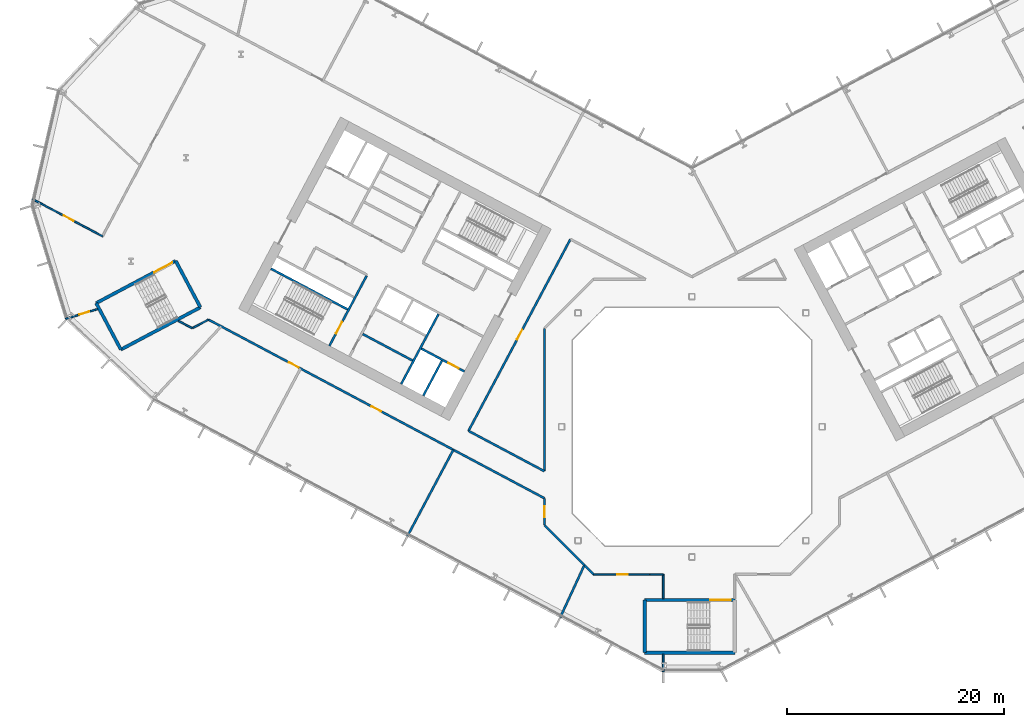
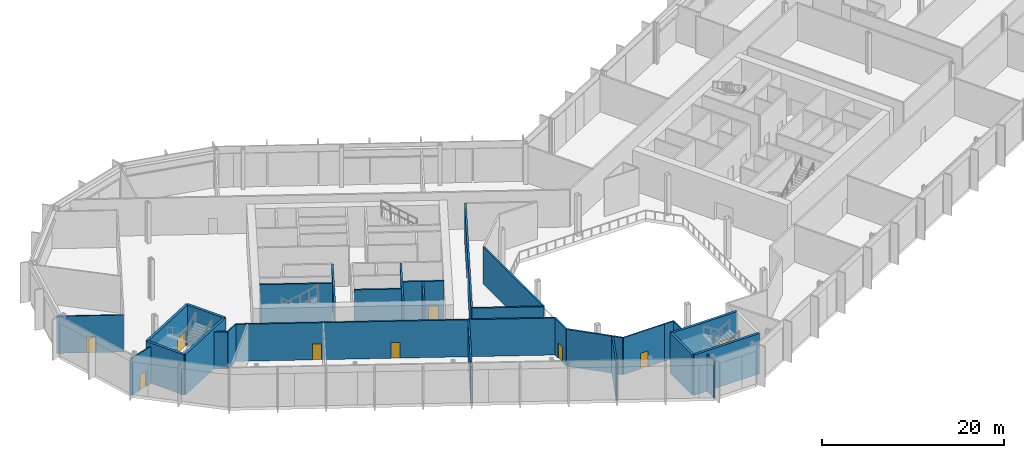
# One storey, part 12 of 32: 30 walls, 11 doors, 11 openings.
"""IFC4 building model written with IfcOpenShell, lengths in metres."""

import ifcopenshell
import ifcopenshell.guid

model = None  # the IFC model being written
_history = None  # IfcOwnerHistory: only IFC2X3 demands one
_inside = {}  # id of a spatial element -> (the spatial element, [elements in it])
_under = {}  # id of a project, library or spatial element -> (it, [spatial elements below it])
_declared = {}  # id of a project -> (the project, [libraries it declares])
_typed = {}  # id of a type object -> (the type object, [elements of that type])
_made_of = {}  # id of a material, layer set ... -> (it, [elements and type objects made of it])


def new_model(schema):
    """Start an empty IFC model of exactly this schema.

    Asked for "IFC4X3", IfcOpenShell would pick the latest addendum, in which some entities
    have other attributes; the version numbers below select the first issue.
    IFC2X3 requires an IfcOwnerHistory on every rooted entity: one is made here for all.
    """
    global model, _history
    if schema == "IFC4X3":
        model = ifcopenshell.file(schema_version=(4, 3, 0, 0))
    else:
        model = ifcopenshell.file(schema=schema)
    _inside.clear()
    _under.clear()
    _declared.clear()
    _typed.clear()
    _made_of.clear()
    _history = None
    if model.schema == "IFC2X3":
        org = make("IfcOrganization", Name="unknown")
        user = make(
            "IfcPersonAndOrganization",
            ThePerson=make("IfcPerson", FamilyName="unknown"),
            TheOrganization=org,
        )
        app = make(
            "IfcApplication",
            ApplicationDeveloper=org,
            Version="unknown",
            ApplicationFullName="unknown",
            ApplicationIdentifier="unknown",
        )
        _history = make(
            "IfcOwnerHistory",
            OwningUser=user,
            OwningApplication=app,
            ChangeAction="ADDED",
            CreationDate=0,
        )
    return model


def make(cls, **values):
    """One entity of the class cls with the attributes given. An attribute that is None is left unset."""
    return model.create_entity(
        cls, **{name: value for name, value in values.items() if value is not None}
    )


def rooted(cls, **values):
    """An entity with a GlobalId (a new one), such as an element, a storey or a relation."""
    return make(cls, GlobalId=ifcopenshell.guid.new(), OwnerHistory=_history, **values)


def si_unit(unit_type, name, prefix=None):
    """IfcSIUnit, for example si_unit("LENGTHUNIT", "METRE", prefix="MILLI")."""
    return make("IfcSIUnit", UnitType=unit_type, Prefix=prefix, Name=name)


def assignment(units):
    """IfcUnitAssignment: the units of a project."""
    return None if units is None else make("IfcUnitAssignment", Units=units)


def point(xyz):
    """IfcCartesianPoint."""
    return None if xyz is None else make("IfcCartesianPoint", Coordinates=xyz)


def direction(xyz):
    """IfcDirection."""
    return None if xyz is None else make("IfcDirection", DirectionRatios=xyz)


def frame(location, z_axis=None, x_axis=None):
    """IfcAxis2Placement3D, a coordinate frame: its origin and axes. An axis left out is left unset."""
    return make(
        "IfcAxis2Placement3D",
        Location=point(location),
        Axis=direction(z_axis),
        RefDirection=direction(x_axis),
    )


def frame_2d(location, x_axis=None):
    """IfcAxis2Placement2D, a coordinate frame in the plane: its origin and x axis."""
    return make(
        "IfcAxis2Placement2D", Location=point(location), RefDirection=direction(x_axis)
    )


def origin():
    """The frame at (0, 0, 0) with its axes left unset."""
    return frame((0.0, 0.0, 0.0))


def place(relative_to, where):
    """IfcLocalPlacement: puts the frame where relative to a parent placement (None: the world)."""
    return make(
        "IfcLocalPlacement", PlacementRelTo=relative_to, RelativePlacement=where
    )


def context(
    kind, dimensions, precision=None, world=None, true_north=None, identifier=None
):
    """IfcGeometricRepresentationContext, for example the 3D "Model" context."""
    return make(
        "IfcGeometricRepresentationContext",
        ContextIdentifier=identifier,
        ContextType=kind,
        CoordinateSpaceDimension=dimensions,
        Precision=precision,
        WorldCoordinateSystem=world,
        TrueNorth=true_north,
    )


def subcontext(parent, identifier, kind, view, scale=None):
    """IfcGeometricRepresentationSubContext, for example "Body" below "Model"."""
    return make(
        "IfcGeometricRepresentationSubContext",
        ContextIdentifier=identifier,
        ContextType=kind,
        ParentContext=parent,
        TargetScale=scale,
        TargetView=view,
    )


def project(units=None, contexts=None):
    """IfcProject with its units and contexts."""
    return rooted(
        "IfcProject",
        Name="project",
        RepresentationContexts=contexts,
        UnitsInContext=assignment(units),
    )


def spatial(cls, under=None, at=None, **own):
    """A site, building, storey or space (cls), placed at a placement, below another one or the project."""
    s = rooted(cls, ObjectPlacement=at, **own)
    if under is not None:
        _under.setdefault(under.id(), (under, []))[1].append(s)
    return s


def profile(cls, at=None, kind="AREA", **sizes):
    """A parametric profile (cls). Its sizes go by their IFC names, for example OverallWidth=200.0."""
    return make(cls, ProfileType=kind, Position=at, **sizes)


def rectangle(**sizes):
    """IfcRectangleProfileDef."""
    return profile("IfcRectangleProfileDef", **sizes)


def extrude(swept, where, along, depth):
    """IfcExtrudedAreaSolid: the profile swept, set in the frame where, extruded along a direction by depth."""
    return make(
        "IfcExtrudedAreaSolid",
        SweptArea=swept,
        Position=where,
        ExtrudedDirection=direction(along),
        Depth=depth,
    )


def shape(context_of_items, identifier, shape_type, items):
    """IfcShapeRepresentation: the items that make up one representation, for example the "Body"."""
    return make(
        "IfcShapeRepresentation",
        ContextOfItems=context_of_items,
        RepresentationIdentifier=identifier,
        RepresentationType=shape_type,
        Items=items,
    )


def material(Name=None, Category=None):
    """IfcMaterial."""
    return make("IfcMaterial", Name=Name, Category=Category)


def layer(
    of_material, thickness, ventilated=None, Name=None, Category=None, Priority=None
):
    """IfcMaterialLayer: one layer of a wall or slab, of a material (None: an air gap)."""
    return make(
        "IfcMaterialLayer",
        Material=of_material,
        LayerThickness=thickness,
        IsVentilated=ventilated,
        Name=Name,
        Category=Category,
        Priority=Priority,
    )


def layer_set(layers, Name=None):
    """IfcMaterialLayerSet."""
    return make("IfcMaterialLayerSet", MaterialLayers=layers, LayerSetName=Name)


def made_of(thing, what):
    """Note that an element or type object is made of a material, layer set ...; save() writes the relation."""
    if what is not None:
        _made_of.setdefault(what.id(), (what, []))[1].append(thing)
    return thing


def type_object(cls, material=None, **own):
    """A type object (cls), such as IfcWallType, which elements share."""
    return made_of(rooted(cls, **own), material)


def element(
    cls,
    number,
    at=None,
    inside=None,
    cuts=None,
    type_object=None,
    material=None,
    context=None,
    identifier="Body",
    shape_type=None,
    held_by="IfcProductDefinitionShape",
    body=None,
    shapes=None,
    **own,
):
    """One element of the class cls, such as IfcWall. Its Tag is "e" and its number.

    at: its placement. inside: the storey or other place that contains it. cuts: it is an
    opening in that element (IfcRelVoidsElement). A single representation is given by context,
    identifier, shape_type and body (its items); several are given by shapes. held_by: the class
    of the entity that holds the representations. save() writes the other relations.
    """
    e = rooted(cls, Tag="e%d" % number, ObjectPlacement=at, **own)
    if body is not None:
        shapes = [shape(context, identifier, shape_type, body)]
    if shapes is not None:
        e.Representation = make(held_by, Representations=shapes)
    if inside is not None:
        _inside.setdefault(inside.id(), (inside, []))[1].append(e)
    if cuts is not None:
        rooted(
            "IfcRelVoidsElement", RelatingBuildingElement=cuts, RelatedOpeningElement=e
        )
    if type_object is not None:
        _typed.setdefault(type_object.id(), (type_object, []))[1].append(e)
    return made_of(e, material)


def fill(opening, filler):
    """IfcRelFillsElement: the door or window that sits in an opening."""
    return rooted(
        "IfcRelFillsElement",
        RelatingOpeningElement=opening,
        RelatedBuildingElement=filler,
    )


def aggregate(whole, parts):
    """IfcRelAggregates: a whole, such as a stair, and the parts it consists of."""
    return rooted("IfcRelAggregates", RelatingObject=whole, RelatedObjects=parts)


def save(model, path):
    """Write the relations noted so far, then the file.

    IfcRelAggregates (storeys below a building ...), IfcRelContainedInSpatialStructure (elements
    in a storey), IfcRelDefinesByType, IfcRelAssociatesMaterial and IfcRelDeclares: one each for
    every whole, place, type object, material and project.
    """
    for whole, parts in _under.values():
        aggregate(whole, parts)
    for where, things in _inside.values():
        rooted(
            "IfcRelContainedInSpatialStructure",
            RelatedElements=things,
            RelatingStructure=where,
        )
    for kind, things in _typed.values():
        rooted("IfcRelDefinesByType", RelatedObjects=things, RelatingType=kind)
    for what, things in _made_of.values():
        rooted("IfcRelAssociatesMaterial", RelatedObjects=things, RelatingMaterial=what)
    for by, libraries in _declared.values():
        rooted("IfcRelDeclares", RelatingContext=by, RelatedDefinitions=libraries)
    model.write(path)


model = new_model("IFC4")

# Units and contexts
model_context = context("Model", 3, precision=1e-05, world=origin(), true_north=direction((0.0, 1.0)))
body_context = subcontext(model_context, "Body", "Model", "MODEL_VIEW")
ifc_project = project(units=[si_unit("LENGTHUNIT", "METRE"), si_unit("AREAUNIT", "SQUARE_METRE"), si_unit("VOLUMEUNIT", "CUBIC_METRE"), si_unit("PLANEANGLEUNIT", "RADIAN"), si_unit("MASSUNIT", "GRAM", prefix="KILO")], contexts=[model_context])

# Site, building, storey
site_placement = place(None, origin())
site = spatial("IfcSite", under=ifc_project, at=site_placement, CompositionType="ELEMENT")
building_placement = place(site_placement, origin())
building = spatial("IfcBuilding", under=site, at=building_placement, Name="Cormorant Relay Tower", CompositionType="ELEMENT")
storey_placement = place(building_placement, frame((0.0, 0.0, 39.199951171875)))
storey = spatial("IfcBuildingStorey", under=building, at=storey_placement, Name="L07", CompositionType="ELEMENT", Elevation=39.199951171875)

# Walls
ifc_material_1 = material(Name="Concrete 40 MPa", Category="concrete")
ifc_layer_1 = layer(ifc_material_1, 0.199951171875)
ifc_layer_set_1 = layer_set([ifc_layer_1], Name="Core internal wall 200")
wall_type_1 = type_object("IfcWallType", Name="Core internal wall 200", PredefinedType="SOLIDWALL", material=ifc_layer_set_1)
wall_1_placement = place(storey_placement, frame((-25.7490234375, 6.102783203125, 0.0), z_axis=(0.0, 0.0, 1.0), x_axis=(-0.882953967957, 0.469459572775, 0.0)))
element("IfcWall", 1, at=wall_1_placement, inside=storey, type_object=wall_type_1, Name="L07 core A shaft and room wall", PredefinedType="SOLIDWALL", context=body_context, shape_type="SweptSolid", body=[
    extrude(rectangle(XDim=5.199951171875, YDim=0.199951171875, at=frame_2d((2.60009765625, 0.0))), origin(), (0.0, 0.0, 1.0), 5.400146484375),
])
ifc_material_2 = material(Name="Concrete 50 MPa", Category="concrete")
ifc_layer_2 = layer(ifc_material_2, 0.199951171875)
ifc_layer_set_2 = layer_set([ifc_layer_2], Name="Core shaft wall 200")
wall_type_2 = type_object("IfcWallType", Name="Core shaft wall 200", PredefinedType="SHEAR", material=ifc_layer_set_2)
wall_2_placement = place(storey_placement, frame((-23.04296875, 6.07958984375, 0.0), z_axis=(0.0, 0.0, 1.0), x_axis=(-0.469494272526, -0.882935517501, 0.0)))
element("IfcWall", 2, at=wall_2_placement, inside=storey, type_object=wall_type_2, Name="L07 core A shaft wall", PredefinedType="SHEAR", context=body_context, shape_type="SweptSolid", body=[
    extrude(rectangle(XDim=3.64990234375, YDim=0.199951171875, at=frame_2d((1.824951171875, 0.0))), origin(), (0.0, 0.0, 1.0), 5.400146484375),
])
wall_3_placement = place(storey_placement, frame((-23.360107421875, 10.38232421875, 0.0), z_axis=(0.0, 0.0, 1.0), x_axis=(-0.469480409012, -0.88294288918, 0.0)))
element("IfcWall", 3, at=wall_3_placement, inside=storey, type_object=wall_type_2, Name="L07 core A shaft wall", PredefinedType="SHEAR", context=body_context, shape_type="SweptSolid", body=[
    extrude(rectangle(XDim=7.300048828125, YDim=0.199951171875, at=frame_2d((3.64990234375, 0.0))), origin(), (0.0, 0.0, 1.0), 5.400146484375),
])

# Wall, opening, door
wall_4_placement = place(storey_placement, frame((-29.982421875, 13.9033203125, 0.0), z_axis=(0.0, 0.0, 1.0), x_axis=(-0.469454336211, -0.882956752176, 0.0)))
wall_4 = element("IfcWall", 4, at=wall_4_placement, inside=storey, type_object=wall_type_2, Name="L07 core A shaft wall", PredefinedType="SHEAR", context=body_context, shape_type="SweptSolid", body=[
    extrude(rectangle(XDim=7.300048828125, YDim=0.199951171875, at=frame_2d((3.64990234375, 0.0))), origin(), (0.0, 0.0, 1.0), 5.400146484375),
])
opening_1_placement = place(wall_4_placement, frame((4.800048828125, 0.0, 0.0)))
opening_1 = element("IfcOpeningElement", 5, at=opening_1_placement, cuts=wall_4, Name="Opening CDB-020", PredefinedType="OPENING", context=body_context, shape_type="SweptSolid", body=[
    extrude(rectangle(XDim=1.199951171875, YDim=2.10009765625, at=frame_2d((0.60009765625, 1.050048828125))), frame((0.0, 0.10986328125, 0.0), z_axis=(0.0, -1.0, 0.0), x_axis=(1.0, 0.0, 0.0)), (0.0, 0.0, 1.0), 0.219970703125),
])
ifc_material_3 = material(Name="Steel fire door", Category="steel")
door_type_1 = type_object("IfcDoorType", Name="Core stair door 1200x2100", OperationType="SINGLE_SWING_LEFT", PredefinedType="DOOR", material=ifc_material_3)
door_1_placement = place(opening_1_placement, frame((1.199951171875, 0.0, 0.0), z_axis=(0.0, 0.0, 1.0), x_axis=(-1.0, 0.0, 0.0)))
door_1 = element("IfcDoor", 6, at=door_1_placement, inside=storey, type_object=door_type_1, Name="Core stair door 1200x2100", OperationType="SINGLE_SWING_RIGHT", OverallHeight=2.10009765625, OverallWidth=1.199951171875, PredefinedType="DOOR", context=body_context, shape_type="SweptSolid", body=[
    extrude(rectangle(XDim=1.199951171875, YDim=2.10009765625, at=frame_2d((0.60009765625, 1.050048828125))), frame((0.0, 0.02490234375, 0.0), z_axis=(0.0, -1.0, 0.0), x_axis=(1.0, 0.0, 0.0)), (0.0, 0.0, 1.0), 0.050048828125),
])
fill(opening_1, door_1)

wall_5_placement = place(storey_placement, frame((-20.96533203125, 5.088134765625, 0.0), z_axis=(0.0, 0.0, 1.0), x_axis=(-0.882925986334, 0.469512196493, 0.0)))
wall_5 = element("IfcWall", 7, at=wall_5_placement, inside=storey, type_object=wall_type_2, Name="L07 core A shaft wall", PredefinedType="SHEAR", context=body_context, shape_type="SweptSolid", body=[
    extrude(rectangle(XDim=4.5, YDim=0.199951171875, at=frame_2d((2.25, 0.0))), origin(), (0.0, 0.0, 1.0), 5.400146484375),
])
opening_2_placement = place(wall_5_placement, frame((0.60009765625, 0.0, 0.0)))
opening_2 = element("IfcOpeningElement", 8, at=opening_2_placement, cuts=wall_5, Name="Opening LD1-019", PredefinedType="OPENING", context=body_context, shape_type="SweptSolid", body=[
    extrude(rectangle(XDim=1.10009765625, YDim=2.10009765625, at=frame_2d((0.550048828125, 1.050048828125))), frame((0.0, 0.10986328125, 0.0), z_axis=(0.0, -1.0, 0.0), x_axis=(1.0, 0.0, 0.0)), (0.0, 0.0, 1.0), 0.219970703125),
])
ifc_material_4 = material(Name="Stainless steel 316", Category="steel")
door_type_2 = type_object("IfcDoorType", Name="Lift landing door 1100x2100", OperationType="DOUBLE_DOOR_SLIDING", PredefinedType="DOOR", material=ifc_material_4)
door_2_placement = place(opening_2_placement, origin())
door_2 = element("IfcDoor", 9, at=door_2_placement, inside=storey, type_object=door_type_2, Name="FF1 landing door", OperationType="DOUBLE_DOOR_SLIDING", OverallHeight=2.10009765625, OverallWidth=1.10009765625, PredefinedType="DOOR", context=body_context, shape_type="SweptSolid", body=[
    extrude(rectangle(XDim=1.10009765625, YDim=2.10009765625, at=frame_2d((0.550048828125, 1.050048828125))), frame((0.0, 0.02490234375, 0.0), z_axis=(0.0, -1.0, 0.0), x_axis=(1.0, 0.0, 0.0)), (0.0, 0.0, 1.0), 0.050048828125),
])
fill(opening_2, door_2)

# Wall
wall_6_placement = place(storey_placement, frame((-31.7373046875, 10.815673828125, 0.0), z_axis=(0.0, 0.0, 1.0), x_axis=(-0.882940221191, 0.469485426614, 0.0)))
element("IfcWall", 10, at=wall_6_placement, inside=storey, type_object=wall_type_2, Name="L07 core A shaft wall", PredefinedType="SHEAR", context=body_context, shape_type="SweptSolid", body=[
    extrude(rectangle(XDim=8.0, YDim=0.199951171875, at=frame_2d((4.0, 0.0))), origin(), (0.0, 0.0, 1.0), 5.400146484375),
])

# Wall, openings, doors
ifc_material_5 = material(Name="Fire-rated gypsum board partition")
ifc_layer_3 = layer(ifc_material_5, 0.199951171875)
ifc_layer_set_3 = layer_set([ifc_layer_3], Name="Fire-rated gypsum partition 200")
wall_type_3 = type_object("IfcWallType", Name="Fire-rated gypsum partition 200", PredefinedType="PARTITIONING", material=ifc_layer_set_3)
wall_7_placement = place(storey_placement, frame((-13.597900390625, -6.5849609375, 0.0), z_axis=(0.0, 0.0, 1.0), x_axis=(-0.882949042681, 0.469468836057, 0.0)))
wall_7 = element("IfcWall", 11, at=wall_7_placement, inside=storey, type_object=wall_type_3, Name="wall/L07/part/12", PredefinedType="PARTITIONING", context=body_context, shape_type="SweptSolid", body=[
    extrude(rectangle(XDim=35.058837890625, YDim=0.199951171875, at=frame_2d((17.529296875, 0.0))), origin(), (0.0, 0.0, 1.0), 4.949951171875),
])
opening_3_placement = place(wall_7_placement, frame((25.64990234375, 0.0, 0.0)))
opening_3 = element("IfcOpeningElement", 12, at=opening_3_placement, cuts=wall_7, Name="Opening FD1-034", PredefinedType="OPENING", context=body_context, shape_type="SweptSolid", body=[
    extrude(rectangle(XDim=1.0, YDim=2.10009765625, at=frame_2d((0.5, 1.050048828125))), frame((0.0, 0.10986328125, 0.0), z_axis=(0.0, -1.0, 0.0), x_axis=(1.0, 0.0, 0.0)), (0.0, 0.0, 1.0), 0.219970703125),
])
opening_4_placement = place(wall_7_placement, frame((17.050048828125, 0.0, 0.0)))
opening_4 = element("IfcOpeningElement", 13, at=opening_4_placement, cuts=wall_7, Name="Opening FD1-035", PredefinedType="OPENING", context=body_context, shape_type="SweptSolid", body=[
    extrude(rectangle(XDim=1.0, YDim=2.10009765625, at=frame_2d((0.5, 1.050048828125))), frame((0.0, 0.10986328125, 0.0), z_axis=(0.0, -1.0, 0.0), x_axis=(1.0, 0.0, 0.0)), (0.0, 0.0, 1.0), 0.219970703125),
])
ifc_material_6 = material(Name="Fire-rated steel door", Category="steel")
door_type_3 = type_object("IfcDoorType", Name="Fire door 1000 x 2100", OperationType="SINGLE_SWING_LEFT", PredefinedType="DOOR", material=ifc_material_6)
door_3_placement = place(opening_3_placement, origin())
door_3 = element("IfcDoor", 14, at=door_3_placement, inside=storey, type_object=door_type_3, Name="door/L07/16", OperationType="SINGLE_SWING_LEFT", OverallHeight=2.10009765625, OverallWidth=1.0, PredefinedType="DOOR", context=body_context, shape_type="SweptSolid", body=[
    extrude(rectangle(XDim=1.0, YDim=2.10009765625, at=frame_2d((0.5, 1.050048828125))), frame((0.0, 0.02490234375, 0.0), z_axis=(0.0, -1.0, 0.0), x_axis=(1.0, 0.0, 0.0)), (0.0, 0.0, 1.0), 0.050048828125),
])
fill(opening_3, door_3)
door_4_placement = place(opening_4_placement, origin())
door_4 = element("IfcDoor", 15, at=door_4_placement, inside=storey, type_object=door_type_3, Name="door/L07/17", OperationType="SINGLE_SWING_LEFT", OverallHeight=2.10009765625, OverallWidth=1.0, PredefinedType="DOOR", context=body_context, shape_type="SweptSolid", body=[
    extrude(rectangle(XDim=1.0, YDim=2.10009765625, at=frame_2d((0.5, 1.050048828125))), frame((0.0, 0.02490234375, 0.0), z_axis=(0.0, -1.0, 0.0), x_axis=(1.0, 0.0, 0.0)), (0.0, 0.0, 1.0), 0.050048828125),
])
fill(opening_4, door_4)

# Walls
wall_8_placement = place(storey_placement, frame((-21.988037109375, -2.1240234375, 0.0), z_axis=(0.0, 0.0, 1.0), x_axis=(-0.469475779988, -0.88294535052, 0.0)))
element("IfcWall", 16, at=wall_8_placement, inside=storey, type_object=wall_type_3, Name="wall/L07/part/15", PredefinedType="PARTITIONING", context=body_context, shape_type="SweptSolid", body=[
    extrude(rectangle(XDim=9.001708984375, YDim=0.199951171875, at=frame_2d((4.5009765625, 0.0))), origin(), (0.0, 0.0, 1.0), 4.949951171875),
])
wall_9_placement = place(storey_placement, frame((-9.9169921875, -12.757080078125, 0.0), z_axis=(0.0, 0.0, 1.0), x_axis=(-0.707083331725, 0.70713022987, 0.0)))
element("IfcWall", 17, at=wall_9_placement, inside=storey, type_object=wall_type_3, Name="wall/L07/part/17", PredefinedType="PARTITIONING", context=body_context, shape_type="SweptSolid", body=[
    extrude(rectangle(XDim=5.205810546875, YDim=0.199951171875, at=frame_2d((2.60302734375, 0.0))), origin(), (0.0, 0.0, 1.0), 4.949951171875),
])

# Wall, opening, door
wall_10_placement = place(storey_placement, frame((-13.597900390625, -9.075927734375, 0.0), z_axis=(0.0, 0.0, 1.0), x_axis=(0.0, 1.0, 0.0)))
wall_10 = element("IfcWall", 18, at=wall_10_placement, inside=storey, type_object=wall_type_3, Name="wall/L07/part/18", PredefinedType="PARTITIONING", context=body_context, shape_type="SweptSolid", body=[
    extrude(rectangle(XDim=2.473876953125, YDim=0.199951171875, at=frame_2d((1.23681640625, 0.0))), origin(), (0.0, 0.0, 1.0), 4.949951171875),
])
opening_5_placement = place(wall_10_placement, frame((0.75, 0.0, 0.0)))
opening_5 = element("IfcOpeningElement", 19, at=opening_5_placement, cuts=wall_10, Name="Opening FD1-036", PredefinedType="OPENING", context=body_context, shape_type="SweptSolid", body=[
    extrude(rectangle(XDim=1.0, YDim=2.10009765625, at=frame_2d((0.5, 1.050048828125))), frame((0.0, 0.10986328125, 0.0), z_axis=(0.0, -1.0, 0.0), x_axis=(1.0, 0.0, 0.0)), (0.0, 0.0, 1.0), 0.219970703125),
])
door_5_placement = place(opening_5_placement, origin())
door_5 = element("IfcDoor", 20, at=door_5_placement, inside=storey, type_object=door_type_3, Name="door/L07/18", OperationType="SINGLE_SWING_RIGHT", OverallHeight=2.10009765625, OverallWidth=1.0, PredefinedType="DOOR", context=body_context, shape_type="SweptSolid", body=[
    extrude(rectangle(XDim=1.0, YDim=2.10009765625, at=frame_2d((0.5, 1.050048828125))), frame((0.0, 0.02490234375, 0.0), z_axis=(0.0, -1.0, 0.0), x_axis=(1.0, 0.0, 0.0)), (0.0, 0.0, 1.0), 0.050048828125),
])
fill(opening_5, door_5)

# Walls
wall_11_placement = place(storey_placement, frame((-9.9169921875, -12.757080078125, 0.0), z_axis=(0.0, 0.0, 1.0), x_axis=(-0.418797645162, -0.908079584842, 0.0)))
element("IfcWall", 21, at=wall_11_placement, inside=storey, type_object=wall_type_3, Name="wall/L07/part/19", PredefinedType="PARTITIONING", context=body_context, shape_type="SweptSolid", body=[
    extrude(rectangle(XDim=5.2890625, YDim=0.199951171875, at=frame_2d((2.64453125, 0.0))), origin(), (0.0, 0.0, 1.0), 4.949951171875),
])
wall_12_placement = place(storey_placement, frame((-9.075927734375, -13.597900390625, 0.0), z_axis=(0.0, 0.0, 1.0), x_axis=(-0.707209416613, 0.707004130861, 0.0)))
element("IfcWall", 22, at=wall_12_placement, inside=storey, type_object=wall_type_3, Name="wall/L07/part/22", PredefinedType="PARTITIONING", context=body_context, shape_type="SweptSolid", body=[
    extrude(rectangle(XDim=1.189208984375, YDim=0.199951171875, at=frame_2d((0.5947265625, 0.0))), origin(), (0.0, 0.0, 1.0), 4.949951171875),
])

# Wall, opening, door
wall_13_placement = place(storey_placement, frame((-20.590087890625, -0.3798828125, 0.0), z_axis=(0.0, 0.0, 1.0), x_axis=(0.4694565083, 0.882955597306, 0.0)))
wall_13 = element("IfcWall", 23, at=wall_13_placement, inside=storey, type_object=wall_type_3, Name="wall/L07/part/56", PredefinedType="PARTITIONING", context=body_context, shape_type="SweptSolid", body=[
    extrude(rectangle(XDim=20.004150390625, YDim=0.199951171875, at=frame_2d((10.001953125, 0.0))), origin(), (0.0, 0.0, 1.0), 4.949951171875),
])
opening_6_placement = place(wall_13_placement, frame((9.550048828125, 0.0, 0.0)))
opening_6 = element("IfcOpeningElement", 24, at=opening_6_placement, cuts=wall_13, Name="Opening FD1-040", PredefinedType="OPENING", context=body_context, shape_type="SweptSolid", body=[
    extrude(rectangle(XDim=1.0, YDim=2.10009765625, at=frame_2d((0.5, 1.050048828125))), frame((0.0, 0.10986328125, 0.0), z_axis=(0.0, -1.0, 0.0), x_axis=(1.0, 0.0, 0.0)), (0.0, 0.0, 1.0), 0.219970703125),
])
door_6_placement = place(opening_6_placement, frame((1.0, 0.0, 0.0), z_axis=(0.0, 0.0, 1.0), x_axis=(-1.0, 0.0, 0.0)))
door_6 = element("IfcDoor", 25, at=door_6_placement, inside=storey, type_object=door_type_3, Name="door/L07/3", OperationType="SINGLE_SWING_LEFT", OverallHeight=2.10009765625, OverallWidth=1.0, PredefinedType="DOOR", context=body_context, shape_type="SweptSolid", body=[
    extrude(rectangle(XDim=1.0, YDim=2.10009765625, at=frame_2d((0.5, 1.050048828125))), frame((0.0, 0.02490234375, 0.0), z_axis=(0.0, -1.0, 0.0), x_axis=(1.0, 0.0, 0.0)), (0.0, 0.0, 1.0), 0.050048828125),
])
fill(opening_6, door_6)

# Walls
wall_14_placement = place(storey_placement, frame((-13.597900390625, 9.075927734375, 0.0), z_axis=(0.0, 0.0, 1.0), x_axis=(0.0, -1.0, 0.0)))
element("IfcWall", 26, at=wall_14_placement, inside=storey, type_object=wall_type_3, Name="wall/L07/part/60", PredefinedType="PARTITIONING", context=body_context, shape_type="SweptSolid", body=[
    extrude(rectangle(XDim=13.173828125, YDim=0.199951171875, at=frame_2d((6.5869140625, 0.0))), origin(), (0.0, 0.0, 1.0), 4.949951171875),
])
wall_15_placement = place(storey_placement, frame((-13.597900390625, -4.097900390625, 0.0), z_axis=(0.0, 0.0, 1.0), x_axis=(-0.88293683418, 0.469491796359, 0.0)))
element("IfcWall", 27, at=wall_15_placement, inside=storey, type_object=wall_type_3, Name="wall/L07/part/61", PredefinedType="PARTITIONING", context=body_context, shape_type="SweptSolid", body=[
    extrude(rectangle(XDim=7.919189453125, YDim=0.199951171875, at=frame_2d((3.95947265625, 0.0))), origin(), (0.0, 0.0, 1.0), 4.949951171875),
])

# Wall, opening, door
ifc_material_7 = material(Name="Gypsum board partition")
ifc_layer_4 = layer(ifc_material_7, 0.14990234375)
ifc_layer_set_4 = layer_set([ifc_layer_4], Name="Gypsum board partition 150")
wall_type_4 = type_object("IfcWallType", Name="Gypsum board partition 150", PredefinedType="PARTITIONING", material=ifc_layer_set_4)
wall_16_placement = place(storey_placement, frame((-60.787109375, 20.991943359375, 0.0), z_axis=(0.0, 0.0, 1.0), x_axis=(0.882995783921, -0.469380917356, 0.0)))
wall_16 = element("IfcWall", 28, at=wall_16_placement, inside=storey, type_object=wall_type_4, Name="wall/L07/part/1", PredefinedType="PARTITIONING", context=body_context, shape_type="SweptSolid", body=[
    extrude(rectangle(XDim=7.32861328125, YDim=0.14990234375, at=frame_2d((3.664306640625, 0.0))), origin(), (0.0, 0.0, 1.0), 4.949951171875),
])
opening_7_placement = place(wall_16_placement, frame((3.287109375, 0.0, 0.0)))
opening_7 = element("IfcOpeningElement", 29, at=opening_7_placement, cuts=wall_16, Name="Opening D1-016", PredefinedType="OPENING", context=body_context, shape_type="SweptSolid", body=[
    extrude(rectangle(XDim=1.0, YDim=2.10009765625, at=frame_2d((0.5, 1.050048828125))), frame((0.0, 0.0849609375, 0.0), z_axis=(0.0, -1.0, 0.0), x_axis=(1.0, 0.0, 0.0)), (0.0, 0.0, 1.0), 0.169921875),
])
ifc_material_8 = material(Name="Painted steel door", Category="steel")
door_type_4 = type_object("IfcDoorType", Name="Single door 1000 x 2100", OperationType="SINGLE_SWING_LEFT", PredefinedType="DOOR", material=ifc_material_8)
door_7_placement = place(opening_7_placement, origin())
door_7 = element("IfcDoor", 30, at=door_7_placement, inside=storey, type_object=door_type_4, Name="door/L07/2", OperationType="SINGLE_SWING_RIGHT", OverallHeight=2.10009765625, OverallWidth=1.0, PredefinedType="DOOR", context=body_context, shape_type="SweptSolid", body=[
    extrude(rectangle(XDim=1.0, YDim=2.10009765625, at=frame_2d((0.5, 1.050048828125))), frame((0.0, 0.02490234375, 0.0), z_axis=(0.0, -1.0, 0.0), x_axis=(1.0, 0.0, 0.0)), (0.0, 0.0, 1.0), 0.050048828125),
])
fill(opening_7, door_7)

wall_17_placement = place(storey_placement, frame((-54.7607421875, 10.847900390625, 0.0), z_axis=(0.0, 0.0, 1.0), x_axis=(-0.956301064033, -0.29238378021, 0.0)))
wall_17 = element("IfcWall", 31, at=wall_17_placement, inside=storey, type_object=wall_type_4, Name="wall/L07/part/5", PredefinedType="PARTITIONING", context=body_context, shape_type="SweptSolid", body=[
    extrude(rectangle(XDim=3.115478515625, YDim=0.14990234375, at=frame_2d((1.5576171875, 0.0))), origin(), (0.0, 0.0, 1.0), 4.949951171875),
])
opening_8_placement = place(wall_17_placement, frame((0.820068359375, 0.0, 0.0)))
opening_8 = element("IfcOpeningElement", 32, at=opening_8_placement, cuts=wall_17, Name="Opening D2-005", PredefinedType="OPENING", context=body_context, shape_type="SweptSolid", body=[
    extrude(rectangle(XDim=0.949951171875, YDim=2.10009765625, at=frame_2d((0.47509765625, 1.050048828125))), frame((0.0, 0.0849609375, 0.0), z_axis=(0.0, -1.0, 0.0), x_axis=(1.0, 0.0, 0.0)), (0.0, 0.0, 1.0), 0.169921875),
])
ifc_material_9 = material(Name="Timber door", Category="wood")
door_type_5 = type_object("IfcDoorType", Name="Toilet door 950 x 2100", OperationType="SINGLE_SWING_LEFT", PredefinedType="DOOR", material=ifc_material_9)
door_8_placement = place(opening_8_placement, origin())
door_8 = element("IfcDoor", 33, at=door_8_placement, inside=storey, type_object=door_type_5, Name="door/L07/15", OperationType="SINGLE_SWING_RIGHT", OverallHeight=2.10009765625, OverallWidth=0.949951171875, PredefinedType="DOOR", context=body_context, shape_type="SweptSolid", body=[
    extrude(rectangle(XDim=0.949951171875, YDim=2.10009765625, at=frame_2d((0.47509765625, 1.050048828125))), frame((0.0, 0.02490234375, 0.0), z_axis=(0.0, -1.0, 0.0), x_axis=(1.0, 0.0, 0.0)), (0.0, 0.0, 1.0), 0.050048828125),
])
fill(opening_8, door_8)

# Walls
wall_18_placement = place(storey_placement, frame((-44.56298828125, 9.868896484375, 0.0), z_axis=(0.0, 0.0, 1.0), x_axis=(-0.882863413573, -0.469629846766, 0.0)))
element("IfcWall", 34, at=wall_18_placement, inside=storey, type_object=wall_type_4, Name="wall/L07/part/10", PredefinedType="PARTITIONING", context=body_context, shape_type="SweptSolid", body=[
    extrude(rectangle(XDim=1.6796875, YDim=0.14990234375, at=frame_2d((0.83984375, 0.0))), origin(), (0.0, 0.0, 1.0), 4.949951171875),
])
wall_19_placement = place(storey_placement, frame((-46.0458984375, 9.080078125, 0.0), z_axis=(0.0, 0.0, 1.0), x_axis=(-0.882853180601, 0.469649083363, 0.0)))
element("IfcWall", 35, at=wall_19_placement, inside=storey, type_object=wall_type_4, Name="wall/L07/part/11", PredefinedType="PARTITIONING", context=body_context, shape_type="SweptSolid", body=[
    extrude(rectangle(XDim=1.45751953125, YDim=0.14990234375, at=frame_2d((0.728759765625, 0.0))), origin(), (0.0, 0.0, 1.0), 4.949951171875),
])

# Wall, opening, door
wall_20_placement = place(storey_placement, frame((-3.886962890625, -13.597900390625, 0.0), z_axis=(0.0, 0.0, 1.0), x_axis=(-1.0, 0.0, 0.0)))
wall_20 = element("IfcWall", 36, at=wall_20_placement, inside=storey, type_object=wall_type_4, Name="wall/L07/part/21", PredefinedType="PARTITIONING", context=body_context, shape_type="SweptSolid", body=[
    extrude(rectangle(XDim=5.18896484375, YDim=0.14990234375, at=frame_2d((2.594482421875, 0.0))), origin(), (0.0, 0.0, 1.0), 4.949951171875),
])
opening_9_placement = place(wall_20_placement, frame((2.050048828125, 0.0, 0.0)))
opening_9 = element("IfcOpeningElement", 37, at=opening_9_placement, cuts=wall_20, Name="Opening D2-006", PredefinedType="OPENING", context=body_context, shape_type="SweptSolid", body=[
    extrude(rectangle(XDim=0.949951171875, YDim=2.10009765625, at=frame_2d((0.47509765625, 1.050048828125))), frame((0.0, 0.0849609375, 0.0), z_axis=(0.0, -1.0, 0.0), x_axis=(1.0, 0.0, 0.0)), (0.0, 0.0, 1.0), 0.169921875),
])
door_9_placement = place(opening_9_placement, origin())
door_9 = element("IfcDoor", 38, at=door_9_placement, inside=storey, type_object=door_type_5, Name="door/L07/19", OperationType="SINGLE_SWING_LEFT", OverallHeight=2.10009765625, OverallWidth=0.949951171875, PredefinedType="DOOR", context=body_context, shape_type="SweptSolid", body=[
    extrude(rectangle(XDim=0.949951171875, YDim=2.10009765625, at=frame_2d((0.47509765625, 1.050048828125))), frame((0.0, 0.02490234375, 0.0), z_axis=(0.0, -1.0, 0.0), x_axis=(1.0, 0.0, 0.0)), (0.0, 0.0, 1.0), 0.050048828125),
])
fill(opening_9, door_9)

# Walls
wall_21_placement = place(storey_placement, frame((-2.64892578125, -15.840087890625, 0.0), z_axis=(0.0, 0.0, 1.0), x_axis=(0.0, 1.0, 0.0)))
element("IfcWall", 39, at=wall_21_placement, inside=storey, type_object=wall_type_4, Name="wall/L07/part/23", PredefinedType="PARTITIONING", context=body_context, shape_type="SweptSolid", body=[
    extrude(rectangle(XDim=2.2421875, YDim=0.14990234375, at=frame_2d((1.12109375, 0.0))), origin(), (0.0, 0.0, 1.0), 4.949951171875),
])
wall_22_placement = place(storey_placement, frame((-2.64892578125, -13.597900390625, 0.0), z_axis=(0.0, 0.0, 1.0), x_axis=(-1.0, 0.0, 0.0)))
element("IfcWall", 40, at=wall_22_placement, inside=storey, type_object=wall_type_4, Name="wall/L07/part/24", PredefinedType="PARTITIONING", context=body_context, shape_type="SweptSolid", body=[
    extrude(rectangle(XDim=1.238037109375, YDim=0.14990234375, at=frame_2d((0.619140625, 0.0))), origin(), (0.0, 0.0, 1.0), 4.949951171875),
])
wall_23_placement = place(storey_placement, frame((-2.64892578125, -20.9599609375, 0.0), z_axis=(0.0, 0.0, 1.0), x_axis=(0.0, -1.0, 0.0)))
element("IfcWall", 41, at=wall_23_placement, inside=storey, type_object=wall_type_4, Name="wall/L07/part/25", PredefinedType="PARTITIONING", context=body_context, shape_type="SweptSolid", body=[
    extrude(rectangle(XDim=1.6220703125, YDim=0.14990234375, at=frame_2d((0.81103515625, 0.0))), origin(), (0.0, 0.0, 1.0), 4.949951171875),
])
ifc_material_10 = material(Name="Concrete 50 MPa", Category="concrete")
ifc_layer_5 = layer(ifc_material_10, 0.300048828125)
ifc_layer_set_5 = layer_set([ifc_layer_5], Name="Remote stair wall 300")
wall_type_5 = type_object("IfcWallType", Name="Remote stair wall 300", PredefinedType="SHEAR", material=ifc_layer_set_5)
wall_24_placement = place(storey_placement, frame((3.949951171875, -20.824951171875, 0.0), z_axis=(0.0, 0.0, 1.0), x_axis=(-1.0, 0.0, 0.0)))
element("IfcWall", 42, at=wall_24_placement, inside=storey, type_object=wall_type_5, Name="L07 exit stair RK1 wall", PredefinedType="SHEAR", context=body_context, shape_type="SweptSolid", body=[
    extrude(rectangle(XDim=8.300048828125, YDim=0.300048828125, at=frame_2d((4.14990234375, 0.0))), origin(), (0.0, 0.0, 1.0), 5.400146484375),
])
wall_25_placement = place(storey_placement, frame((-4.35009765625, -20.824951171875, 0.0), z_axis=(0.0, 0.0, 1.0), x_axis=(0.0, 1.0, 0.0)))
element("IfcWall", 43, at=wall_25_placement, inside=storey, type_object=wall_type_5, Name="L07 exit stair RK1 wall", PredefinedType="SHEAR", context=body_context, shape_type="SweptSolid", body=[
    extrude(rectangle(XDim=4.849853515625, YDim=0.300048828125, at=frame_2d((2.4248046875, 0.0))), origin(), (0.0, 0.0, 1.0), 5.400146484375),
])

# Wall, opening, door
wall_26_placement = place(storey_placement, frame((-4.35009765625, -15.97509765625, 0.0), z_axis=(0.0, 0.0, 1.0), x_axis=(1.0, 0.0, 0.0)))
wall_26 = element("IfcWall", 44, at=wall_26_placement, inside=storey, type_object=wall_type_5, Name="L07 exit stair RK1 wall", PredefinedType="SHEAR", context=body_context, shape_type="SweptSolid", body=[
    extrude(rectangle(XDim=8.300048828125, YDim=0.300048828125, at=frame_2d((4.14990234375, 0.0))), origin(), (0.0, 0.0, 1.0), 5.400146484375),
])
opening_10_placement = place(wall_26_placement, frame((6.050048828125, 0.0, 0.0)))
opening_10 = element("IfcOpeningElement", 45, at=opening_10_placement, cuts=wall_26, Name="Opening CDE-006", PredefinedType="OPENING", context=body_context, shape_type="SweptSolid", body=[
    extrude(rectangle(XDim=1.89990234375, YDim=2.10009765625, at=frame_2d((0.949951171875, 1.050048828125))), frame((0.0, 0.159912109375, 0.0), z_axis=(0.0, -1.0, 0.0), x_axis=(1.0, 0.0, 0.0)), (0.0, 0.0, 1.0), 0.320068359375),
])
ifc_material_11 = material(Name="Steel fire door", Category="steel")
door_type_6 = type_object("IfcDoorType", Name="Remote stair door 1900x2100", OperationType="DOUBLE_DOOR_SINGLE_SWING", PredefinedType="DOOR", material=ifc_material_11)
door_10_placement = place(opening_10_placement, frame((1.89990234375, 0.0, 0.0), z_axis=(0.0, 0.0, 1.0), x_axis=(-1.0, 0.0, 0.0)))
door_10 = element("IfcDoor", 46, at=door_10_placement, inside=storey, type_object=door_type_6, Name="Exit stair RK1 door", OperationType="DOUBLE_DOOR_SINGLE_SWING", OverallHeight=2.10009765625, OverallWidth=1.89990234375, PredefinedType="DOOR", context=body_context, shape_type="SweptSolid", body=[
    extrude(rectangle(XDim=1.89990234375, YDim=2.10009765625, at=frame_2d((0.949951171875, 1.050048828125))), frame((0.0, 0.02490234375, 0.0), z_axis=(0.0, -1.0, 0.0), x_axis=(1.0, 0.0, 0.0)), (0.0, 0.0, 1.0), 0.050048828125),
])
fill(opening_10, door_10)

# Walls
wall_27_placement = place(storey_placement, frame((-47.57421875, 15.28955078125, 0.0), z_axis=(0.0, 0.0, 1.0), x_axis=(0.469443498566, -0.882962514297, 0.0)))
element("IfcWall", 47, at=wall_27_placement, inside=storey, type_object=wall_type_5, Name="L07 exit stair RP1 wall", PredefinedType="SHEAR", context=body_context, shape_type="SweptSolid", body=[
    extrude(rectangle(XDim=4.85009765625, YDim=0.300048828125, at=frame_2d((2.425048828125, 0.0))), origin(), (0.0, 0.0, 1.0), 5.400146484375),
])
wall_28_placement = place(storey_placement, frame((-45.29736328125, 11.007080078125, 0.0), z_axis=(0.0, 0.0, 1.0), x_axis=(-0.882951519127, -0.469464178475, 0.0)))
element("IfcWall", 48, at=wall_28_placement, inside=storey, type_object=wall_type_5, Name="L07 exit stair RP1 wall", PredefinedType="SHEAR", context=body_context, shape_type="SweptSolid", body=[
    extrude(rectangle(XDim=8.2998046875, YDim=0.300048828125, at=frame_2d((4.14990234375, 0.0))), origin(), (0.0, 0.0, 1.0), 5.400146484375),
])
wall_29_placement = place(storey_placement, frame((-52.625732421875, 7.110595703125, 0.0), z_axis=(0.0, 0.0, 1.0), x_axis=(-0.469464364128, 0.882951420416, 0.0)))
element("IfcWall", 49, at=wall_29_placement, inside=storey, type_object=wall_type_5, Name="L07 exit stair RP1 wall", PredefinedType="SHEAR", context=body_context, shape_type="SweptSolid", body=[
    extrude(rectangle(XDim=4.849853515625, YDim=0.300048828125, at=frame_2d((2.4248046875, 0.0))), origin(), (0.0, 0.0, 1.0), 5.400146484375),
])

# Wall, opening, door
wall_30_placement = place(storey_placement, frame((-54.902587890625, 11.392822265625, 0.0), z_axis=(0.0, 0.0, 1.0), x_axis=(0.882939326045, 0.469487110071, 0.0)))
wall_30 = element("IfcWall", 50, at=wall_30_placement, inside=storey, type_object=wall_type_5, Name="L07 exit stair RP1 wall", PredefinedType="SHEAR", context=body_context, shape_type="SweptSolid", body=[
    extrude(rectangle(XDim=8.300048828125, YDim=0.300048828125, at=frame_2d((4.14990234375, 0.0))), origin(), (0.0, 0.0, 1.0), 5.400146484375),
])
opening_11_placement = place(wall_30_placement, frame((6.050048828125, 0.0, 0.0)))
opening_11 = element("IfcOpeningElement", 51, at=opening_11_placement, cuts=wall_30, Name="Opening CDE-007", PredefinedType="OPENING", context=body_context, shape_type="SweptSolid", body=[
    extrude(rectangle(XDim=1.89990234375, YDim=2.10009765625, at=frame_2d((0.949951171875, 1.050048828125))), frame((0.0, 0.159912109375, 0.0), z_axis=(0.0, -1.0, 0.0), x_axis=(1.0, 0.0, 0.0)), (0.0, 0.0, 1.0), 0.320068359375),
])
door_11_placement = place(opening_11_placement, frame((1.89990234375, 0.0, 0.0), z_axis=(0.0, 0.0, 1.0), x_axis=(-1.0, 0.0, 0.0)))
door_11 = element("IfcDoor", 52, at=door_11_placement, inside=storey, type_object=door_type_6, Name="Exit stair RP1 door", OperationType="DOUBLE_DOOR_SINGLE_SWING", OverallHeight=2.10009765625, OverallWidth=1.89990234375, PredefinedType="DOOR", context=body_context, shape_type="SweptSolid", body=[
    extrude(rectangle(XDim=1.89990234375, YDim=2.10009765625, at=frame_2d((0.949951171875, 1.050048828125))), frame((0.0, 0.02490234375, 0.0), z_axis=(0.0, -1.0, 0.0), x_axis=(1.0, 0.0, 0.0)), (0.0, 0.0, 1.0), 0.050048828125),
])
fill(opening_11, door_11)

save(model, "model.ifc")
